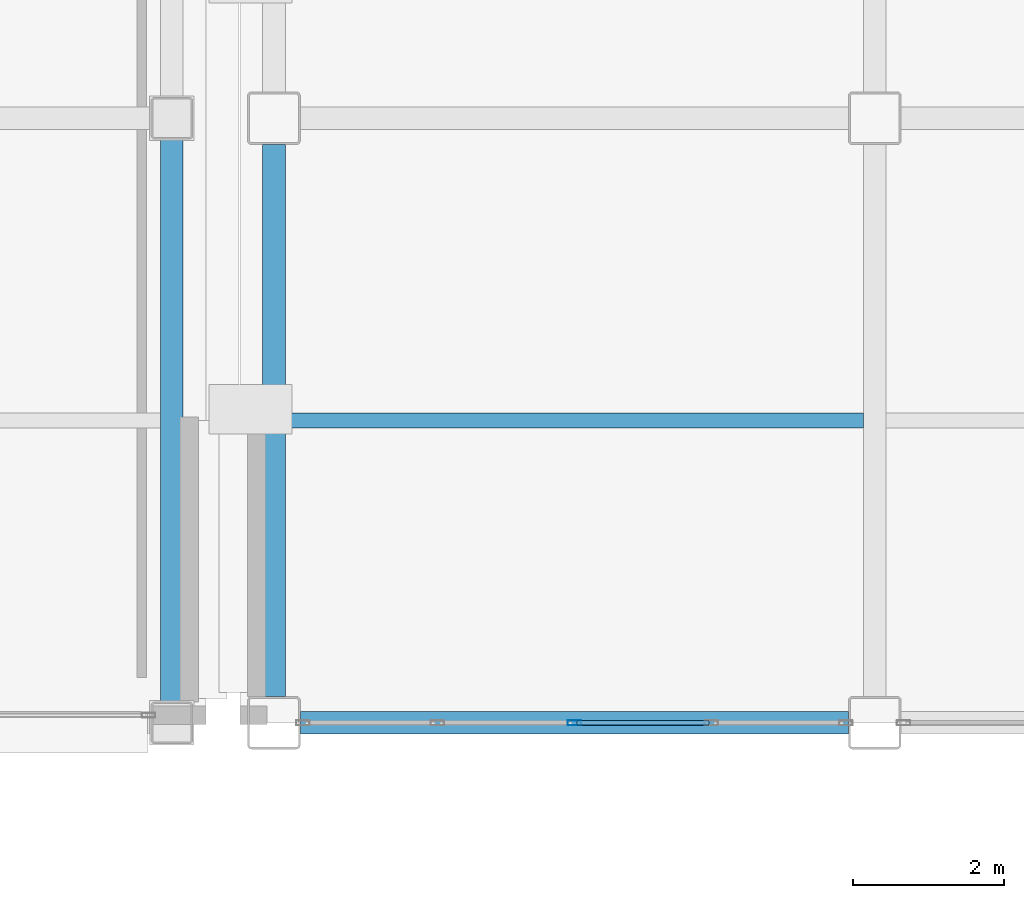
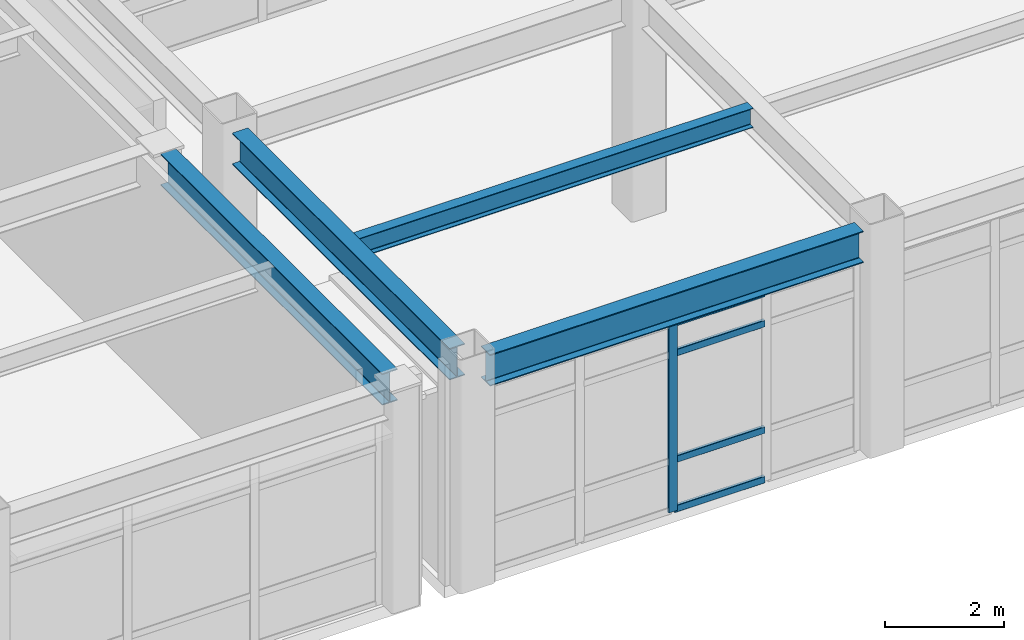
# One storey, part 44 of 154: 5 members, 4 beams, 1 element without a shape of its own.
"""IFC4 building model written with IfcOpenShell, lengths in metres."""

from ifc_helpers import new_model, si_unit, direction, frame, origin, origin_2d, place, context, subcontext, project, spatial, hollow_rectangle, i_section, extrude, material, layer, layer_set, material_profile, profile_set, type_object, element, aggregate, save


model = new_model("IFC4")

# Units and contexts
model_context = context("Model", 3, precision=1e-05, world=origin(), true_north=direction((0.0, 1.0)))
body_context = subcontext(model_context, "Body", "Model", "MODEL_VIEW")
ifc_project = project(units=[si_unit("LENGTHUNIT", "METRE"), si_unit("AREAUNIT", "SQUARE_METRE"), si_unit("VOLUMEUNIT", "CUBIC_METRE"), si_unit("PLANEANGLEUNIT", "RADIAN"), si_unit("MASSUNIT", "GRAM", prefix="KILO")], contexts=[model_context])

# Site, building, storey
site_placement = place(None, origin())
site = spatial("IfcSite", under=ifc_project, at=site_placement, CompositionType="ELEMENT")
building_placement = place(site_placement, origin())
building = spatial("IfcBuilding", under=site, at=building_placement, Name="Kazehara Bluff Congress Hotel", CompositionType="ELEMENT")
storey_placement = place(building_placement, frame((0.0, 0.0, 10.199951171875)))
storey = spatial("IfcBuildingStorey", under=building, at=storey_placement, Name="L02", CompositionType="ELEMENT", Elevation=10.199951171875)

# Curtain wall, members
ifc_material_1 = material(Name="Anodised aluminium", Category="aluminium")
ifc_layer = layer(ifc_material_1, 0.159912109375)
ifc_layer_set = layer_set([ifc_layer], Name="Anodised aluminium")
curtain_wall_type = type_object("IfcCurtainWallType", Name="TP-CW-78", PredefinedType="NOTDEFINED", material=ifc_layer_set)
curtain_wall_placement = place(storey_placement, origin())
curtain_wall = element("IfcCurtainWall", 1, at=curtain_wall_placement, inside=storey, type_object=curtain_wall_type, Name="L02 curtain wall CW-78 CW-V5-L02-Y1600-11090", PredefinedType="NOTDEFINED")
ifc_material_2 = material(Name="Anodised aluminium", Category="aluminium")
ifc_material_profile_1 = material_profile(ifc_material_2, hollow_rectangle(XDim=0.06494140625, YDim=0.179931640625, WallThickness=0.00390625, InnerFilletRadius=0.00390625, OuterFilletRadius=0.008056640625, at=origin_2d()))
ifc_profile_set_1 = profile_set([ifc_material_profile_1], Name="Anodised aluminium")
member_type_1 = type_object("IfcMemberType", Name="TP-CWM-02", PredefinedType="MULLION", material=ifc_profile_set_1)
member_1_placement = place(storey_placement, frame((114.52490234375, 16.0, 0.0), z_axis=(0.0, 0.0, 1.0), x_axis=(0.0, 1.0, 0.0)))
member_1 = element("IfcMember", 2, at=member_1_placement, type_object=member_type_1, Name="CW-78 mullion 3", PredefinedType="MULLION", context=body_context, shape_type="SweptSolid", body=[
    extrude(hollow_rectangle(XDim=0.06494140625, YDim=0.179931640625, WallThickness=0.00390625, InnerFilletRadius=0.00390625, OuterFilletRadius=0.008056640625, at=origin_2d()), origin(), (0.0, 0.0, 1.0), 3.885009765625),
])
ifc_material_3 = material(Name="Anodised aluminium", Category="aluminium")
ifc_material_profile_2 = material_profile(ifc_material_3, hollow_rectangle(XDim=0.06494140625, YDim=0.139892578125, WallThickness=0.00390625, InnerFilletRadius=0.00390625, OuterFilletRadius=0.008056640625, at=origin_2d()))
ifc_profile_set_2 = profile_set([ifc_material_profile_2], Name="Anodised aluminium")
member_type_2 = type_object("IfcMemberType", Name="TP-CWT-02", PredefinedType="USERDEFINED", material=ifc_profile_set_2)
member_2_placement = place(storey_placement, frame((114.5576171875, 16.0, 0.032470703125), z_axis=(1.0, 0.0, 0.0), x_axis=(0.0, 1.0, 0.0)))
member_2 = element("IfcMember", 3, at=member_2_placement, type_object=member_type_2, Name="CW-78 transom 3.1", ObjectType="TRANSOM", PredefinedType="USERDEFINED", context=body_context, shape_type="SweptSolid", body=[
    extrude(hollow_rectangle(XDim=0.06494140625, YDim=0.139892578125, WallThickness=0.00390625, InnerFilletRadius=0.00390625, OuterFilletRadius=0.008056640625, at=origin_2d()), origin(), (0.0, 0.0, 1.0), 1.747314453125),
])
member_3_placement = place(storey_placement, frame((114.5576171875, 16.0, 1.050048828125), z_axis=(1.0, 0.0, 0.0), x_axis=(0.0, 1.0, 0.0)))
member_3 = element("IfcMember", 4, at=member_3_placement, type_object=member_type_2, Name="CW-78 transom 3.2", ObjectType="TRANSOM", PredefinedType="USERDEFINED", context=body_context, shape_type="SweptSolid", body=[
    extrude(hollow_rectangle(XDim=0.06494140625, YDim=0.139892578125, WallThickness=0.00390625, InnerFilletRadius=0.00390625, OuterFilletRadius=0.008056640625, at=origin_2d()), origin(), (0.0, 0.0, 1.0), 1.747314453125),
])
member_4_placement = place(storey_placement, frame((114.5576171875, 16.0, 3.235107421875), z_axis=(1.0, 0.0, 0.0), x_axis=(0.0, 1.0, 0.0)))
member_4 = element("IfcMember", 5, at=member_4_placement, type_object=member_type_2, Name="CW-78 transom 3.3", ObjectType="TRANSOM", PredefinedType="USERDEFINED", context=body_context, shape_type="SweptSolid", body=[
    extrude(hollow_rectangle(XDim=0.06494140625, YDim=0.139892578125, WallThickness=0.00390625, InnerFilletRadius=0.00390625, OuterFilletRadius=0.008056640625, at=origin_2d()), origin(), (0.0, 0.0, 1.0), 1.747314453125),
])
member_5_placement = place(storey_placement, frame((114.5576171875, 16.0, 3.8525390625), z_axis=(1.0, 0.0, 0.0), x_axis=(0.0, 1.0, 0.0)))
member_5 = element("IfcMember", 6, at=member_5_placement, type_object=member_type_2, Name="CW-78 transom 3.4", ObjectType="TRANSOM", PredefinedType="USERDEFINED", context=body_context, shape_type="SweptSolid", body=[
    extrude(hollow_rectangle(XDim=0.06494140625, YDim=0.139892578125, WallThickness=0.00390625, InnerFilletRadius=0.00390625, OuterFilletRadius=0.008056640625, at=origin_2d()), origin(), (0.0, 0.0, 1.0), 1.747314453125),
])
aggregate(curtain_wall, [member_1, member_2, member_3, member_4, member_5])

# Beams
ifc_material_4 = material(Name="Steel SN490B", Category="steel")
ifc_material_profile_3 = material_profile(ifc_material_4, i_section(OverallWidth=0.300048828125, OverallDepth=0.64990234375, WebThickness=0.011962890625, FlangeThickness=0.02001953125, FilletRadius=0.012939453125, at=origin_2d()))
ifc_profile_set_3 = profile_set([ifc_material_profile_3], Name="Steel SN490B")
beam_type_1 = type_object("IfcBeamType", Name="TP-G-03", PredefinedType="BEAM", material=ifc_profile_set_3)
beam_1_placement = place(storey_placement, frame((109.199951171875, 16.27490234375, 4.235107421875), z_axis=(0.0, 1.0, 0.0), x_axis=(-1.0, 0.0, 0.0)))
element("IfcBeam", 7, at=beam_1_placement, inside=storey, type_object=beam_type_1, Name="L02 girder G-03 89", PredefinedType="BEAM", context=body_context, shape_type="SweptSolid", body=[
    extrude(i_section(OverallWidth=0.300048828125, OverallDepth=0.64990234375, WebThickness=0.011962890625, FlangeThickness=0.02001953125, FilletRadius=0.012939453125, at=origin_2d()), origin(), (0.0, 0.0, 1.0), 7.4501953125),
])
beam_2_placement = place(storey_placement, frame((110.550048828125, 16.35009765625, 4.235107421875), z_axis=(0.0, 1.0, 0.0), x_axis=(-1.0, 0.0, 0.0)))
element("IfcBeam", 8, at=beam_2_placement, inside=storey, type_object=beam_type_1, Name="L02 girder G-03 130", PredefinedType="BEAM", context=body_context, shape_type="SweptSolid", body=[
    extrude(i_section(OverallWidth=0.300048828125, OverallDepth=0.64990234375, WebThickness=0.011962890625, FlangeThickness=0.02001953125, FilletRadius=0.012939453125, at=origin_2d()), origin(), (0.0, 0.0, 1.0), 7.2998046875),
])
beam_3_placement = place(storey_placement, frame((110.89990234375, 16.0, 4.235107421875), z_axis=(1.0, 0.0, 0.0), x_axis=(0.0, 1.0, 0.0)))
element("IfcBeam", 9, at=beam_3_placement, inside=storey, type_object=beam_type_1, Name="L02 girder G-03 186", PredefinedType="BEAM", context=body_context, shape_type="SweptSolid", body=[
    extrude(i_section(OverallWidth=0.300048828125, OverallDepth=0.64990234375, WebThickness=0.011962890625, FlangeThickness=0.02001953125, FilletRadius=0.012939453125, at=origin_2d()), origin(), (0.0, 0.0, 1.0), 7.25),
])
ifc_material_5 = material(Name="Steel SN400B", Category="steel")
ifc_material_profile_4 = material_profile(ifc_material_5, i_section(OverallWidth=0.199951171875, OverallDepth=0.39990234375, WebThickness=0.008056640625, FlangeThickness=0.012939453125, FilletRadius=0.012939453125, at=origin_2d()))
ifc_profile_set_4 = profile_set([ifc_material_profile_4], Name="Steel SN400B")
beam_type_2 = type_object("IfcBeamType", Name="TP-J-03", PredefinedType="JOIST", material=ifc_profile_set_4)
beam_4_placement = place(storey_placement, frame((110.699951171875, 20.0, 4.360107421875), z_axis=(1.0, 0.0, 0.0), x_axis=(0.0, 1.0, 0.0)))
element("IfcBeam", 10, at=beam_4_placement, inside=storey, type_object=beam_type_2, Name="L02 secondary joist J-03 27", PredefinedType="JOIST", context=body_context, shape_type="SweptSolid", body=[
    extrude(i_section(OverallWidth=0.199951171875, OverallDepth=0.39990234375, WebThickness=0.008056640625, FlangeThickness=0.012939453125, FilletRadius=0.012939453125, at=origin_2d()), origin(), (0.0, 0.0, 1.0), 7.650146484375),
])

save(model, "model.ifc")
